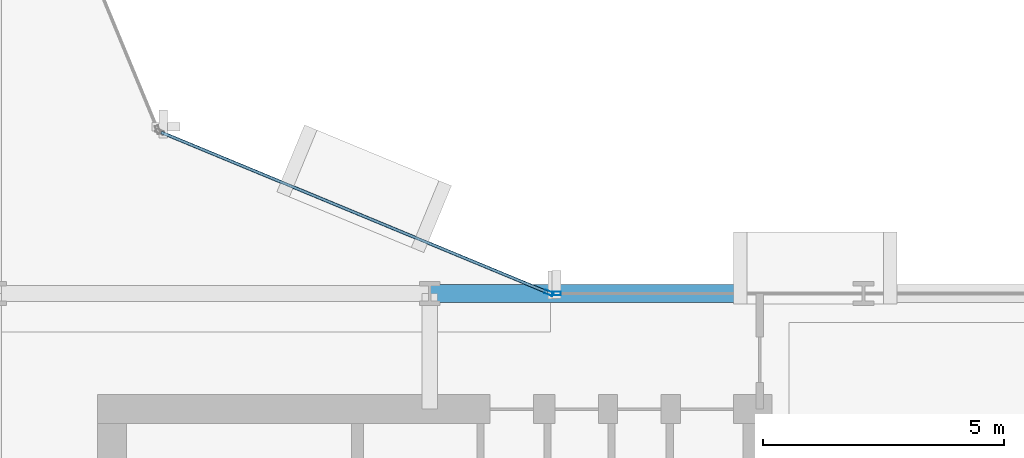
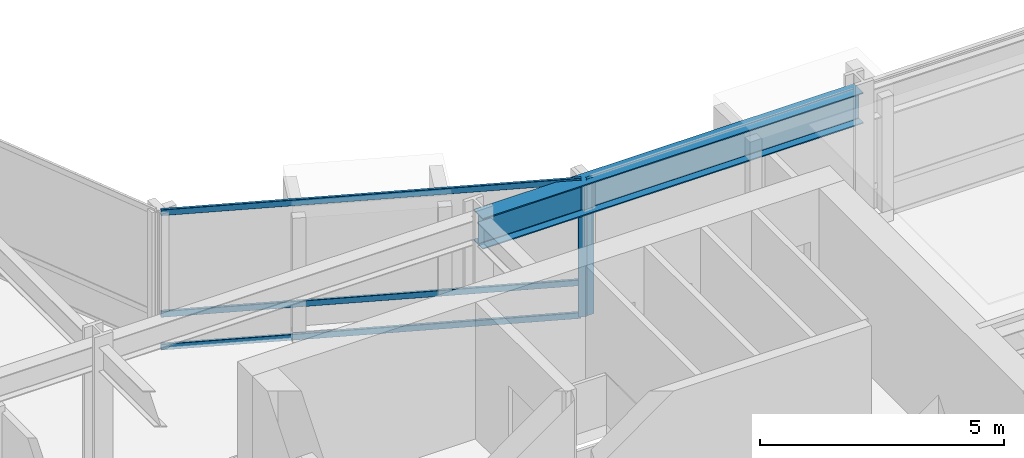
# One storey, part 15 of 34: 5 members, 1 beam, 2 elements without a shape of their own.
"""IFC4 building model written with IfcOpenShell, lengths in metres."""

from ifc_helpers import new_model, si_unit, direction, frame, origin, origin_2d, place, context, subcontext, project, spatial, hollow_rectangle, i_section, extrude, material, layer, layer_set, material_profile, profile_set, type_object, element, aggregate, save


model = new_model("IFC4")

# Units and contexts
model_context = context("Model", 3, precision=1e-05, world=origin(), true_north=direction((0.0, 1.0)))
body_context = subcontext(model_context, "Body", "Model", "MODEL_VIEW")
ifc_project = project(units=[si_unit("LENGTHUNIT", "METRE"), si_unit("AREAUNIT", "SQUARE_METRE"), si_unit("VOLUMEUNIT", "CUBIC_METRE"), si_unit("PLANEANGLEUNIT", "RADIAN"), si_unit("MASSUNIT", "GRAM", prefix="KILO")], contexts=[model_context])

# Site, building, storey
site_placement = place(None, origin())
site = spatial("IfcSite", under=ifc_project, at=site_placement, CompositionType="ELEMENT")
building_placement = place(site_placement, origin())
building = spatial("IfcBuilding", under=site, at=building_placement, Name="Solvaryn Broadcast Tower", CompositionType="ELEMENT")
storey_placement = place(building_placement, frame((0.0, 0.0, 58.199951171875)))
storey = spatial("IfcBuildingStorey", under=building, at=storey_placement, Name="L13", CompositionType="ELEMENT", Elevation=58.199951171875)

# Beam
ifc_material_1 = material(Name="Steel ASTM A992 Grade 50", Category="steel")
ifc_material_profile_1 = material_profile(ifc_material_1, i_section(OverallWidth=0.381103515625, OverallDepth=0.77294921875, WebThickness=0.0166015625, FlangeThickness=0.027099609375, FilletRadius=0.01806640625, at=origin_2d()))
ifc_profile_set_1 = profile_set([ifc_material_profile_1], Name="Steel ASTM A992 Grade 50")
beam_type = type_object("IfcBeamType", Name="BM-SP1-W30X173", PredefinedType="USERDEFINED", material=ifc_profile_set_1)
beam_placement = place(storey_placement, frame((36.0, 27.0, 3.033447265625), z_axis=(1.0, 0.0, 0.0), x_axis=(0.0, 1.0, 0.0)))
element("IfcBeam", 1, at=beam_placement, inside=storey, type_object=beam_type, Name="L13 Spandrel Beam X (36-45 @ Y=27)", ObjectType="SPANDREL", PredefinedType="USERDEFINED", context=body_context, shape_type="SweptSolid", body=[
    extrude(i_section(OverallWidth=0.381103515625, OverallDepth=0.77294921875, WebThickness=0.0166015625, FlangeThickness=0.027099609375, FilletRadius=0.01806640625, at=origin_2d()), origin(), (0.0, 0.0, 1.0), 9.0),
])

# Curtain wall, member
ifc_material_2 = material(Name="Aluminium and Terracotta Unitised Curtain Wall", Category="masonry")
ifc_layer = layer(ifc_material_2, 0.199951171875)
ifc_layer_set = layer_set([ifc_layer], Name="CW-SYS2-LOWMID")
curtain_wall_type = type_object("IfcCurtainWallType", Name="CW-SYS2-LOWMID", PredefinedType="NOTDEFINED", material=ifc_layer_set)
curtain_wall_1_placement = place(storey_placement, origin())
curtain_wall_1 = element("IfcCurtainWall", 2, at=curtain_wall_1_placement, inside=storey, type_object=curtain_wall_type, Name="L13 Curtain Wall CN1", PredefinedType="NOTDEFINED")
ifc_material_3 = material(Name="Anodised Aluminium 6063-T6", Category="aluminium")
ifc_material_profile_2 = material_profile(ifc_material_3, hollow_rectangle(XDim=0.074951171875, YDim=0.179931640625, WallThickness=0.00390625, InnerFilletRadius=0.00390625, OuterFilletRadius=0.008056640625, at=origin_2d()))
ifc_profile_set_2 = profile_set([ifc_material_profile_2], Name="Anodised Aluminium 6063-T6")
member_type_1 = type_object("IfcMemberType", Name="CW-MUL-180", PredefinedType="MULLION", material=ifc_profile_set_2)
member_1_placement = place(storey_placement, frame((38.47216796875, 27.011474609375, 0.0), z_axis=(0.0, 0.0, 1.0), x_axis=(-0.382646127145, -0.923894983957, 0.0)))
member_1 = element("IfcMember", 3, at=member_1_placement, type_object=member_type_1, Name="CWS2 mullion 1", PredefinedType="MULLION", context=body_context, shape_type="SweptSolid", body=[
    extrude(hollow_rectangle(XDim=0.074951171875, YDim=0.179931640625, WallThickness=0.00390625, InnerFilletRadius=0.00390625, OuterFilletRadius=0.008056640625, at=origin_2d()), origin(), (0.0, 0.0, 1.0), 3.420166015625),
])

curtain_wall_2_placement = place(storey_placement, origin())
curtain_wall_2 = element("IfcCurtainWall", 4, at=curtain_wall_2_placement, inside=storey, type_object=curtain_wall_type, Name="L13 Curtain Wall IH", PredefinedType="NOTDEFINED")
member_2_placement = place(storey_placement, frame((38.6298828125, 27.0, 0.0), z_axis=(0.0, 0.0, 1.0), x_axis=(0.0, 1.0, 0.0)))
member_2 = element("IfcMember", 5, at=member_2_placement, type_object=member_type_1, Name="CWS2 mullion 1", PredefinedType="MULLION", context=body_context, shape_type="SweptSolid", body=[
    extrude(hollow_rectangle(XDim=0.074951171875, YDim=0.179931640625, WallThickness=0.00390625, InnerFilletRadius=0.00390625, OuterFilletRadius=0.008056640625, at=origin_2d()), origin(), (0.0, 0.0, 1.0), 3.420166015625),
])
aggregate(curtain_wall_2, [member_2])

# Member
ifc_material_4 = material(Name="Anodised Aluminium 6063-T6", Category="aluminium")
ifc_material_profile_3 = material_profile(ifc_material_4, hollow_rectangle(XDim=0.06494140625, YDim=0.14990234375, WallThickness=0.00390625, InnerFilletRadius=0.00390625, OuterFilletRadius=0.008056640625, at=origin_2d()))
ifc_profile_set_3 = profile_set([ifc_material_profile_3], Name="Anodised Aluminium 6063-T6")
member_type_2 = type_object("IfcMemberType", Name="CW-TRN-150", PredefinedType="USERDEFINED", material=ifc_profile_set_3)
member_3_placement = place(storey_placement, frame((38.444580078125, 27.02294921875, 0.030029296875), z_axis=(-0.923899282177, 0.382635748975, 0.0), x_axis=(-0.382635748975, -0.923899282177, 0.0)))
member_3 = element("IfcMember", 6, at=member_3_placement, type_object=member_type_2, Name="CWS2 transom 1.1", ObjectType="TRANSOM", PredefinedType="USERDEFINED", context=body_context, shape_type="SweptSolid", body=[
    extrude(hollow_rectangle(XDim=0.06494140625, YDim=0.14990234375, WallThickness=0.00390625, InnerFilletRadius=0.00390625, OuterFilletRadius=0.008056640625, at=origin_2d()), origin(), (0.0, 0.0, 1.0), 8.681884765625),
])

member_4_placement = place(storey_placement, frame((38.444580078125, 27.02294921875, 0.85009765625), z_axis=(-0.923899282177, 0.382635748975, 0.0), x_axis=(-0.382635748975, -0.923899282177, 0.0)))
member_4 = element("IfcMember", 7, at=member_4_placement, type_object=member_type_2, Name="CWS2 transom 1.2", ObjectType="TRANSOM", PredefinedType="USERDEFINED", context=body_context, shape_type="SweptSolid", body=[
    extrude(hollow_rectangle(XDim=0.06494140625, YDim=0.14990234375, WallThickness=0.00390625, InnerFilletRadius=0.00390625, OuterFilletRadius=0.008056640625, at=origin_2d()), origin(), (0.0, 0.0, 1.0), 8.681884765625),
])

member_5_placement = place(storey_placement, frame((38.444580078125, 27.02294921875, 3.39013671875), z_axis=(-0.923899282177, 0.382635748975, 0.0), x_axis=(-0.382635748975, -0.923899282177, 0.0)))
member_5 = element("IfcMember", 8, at=member_5_placement, type_object=member_type_2, Name="CWS2 transom 1.3", ObjectType="TRANSOM", PredefinedType="USERDEFINED", context=body_context, shape_type="SweptSolid", body=[
    extrude(hollow_rectangle(XDim=0.06494140625, YDim=0.14990234375, WallThickness=0.00390625, InnerFilletRadius=0.00390625, OuterFilletRadius=0.008056640625, at=origin_2d()), origin(), (0.0, 0.0, 1.0), 8.681884765625),
])

aggregate(curtain_wall_1, [member_1, member_3, member_4, member_5])

save(model, "model.ifc")
